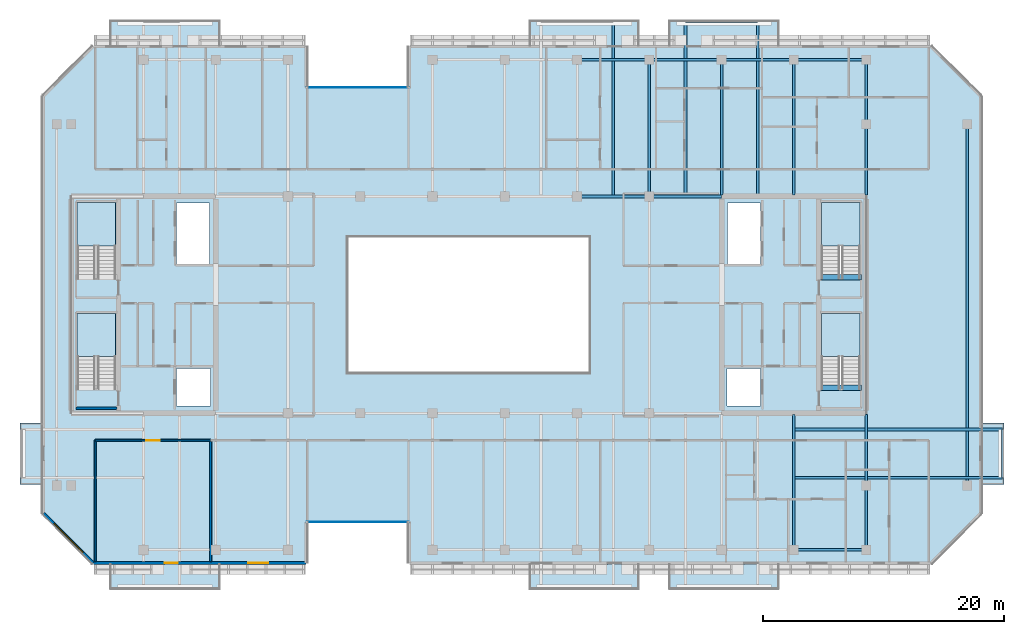
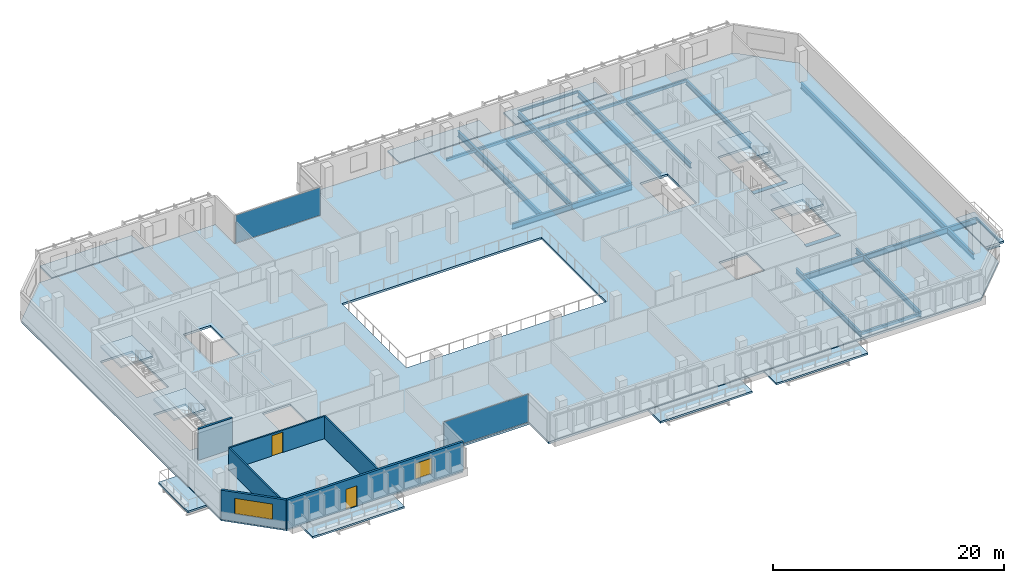
# One storey, part 9 of 22: 23 beams, 13 slabs, 6 walls, 2 doors, 2 plates, 2 windows, 4 openings, 6 elements without a shape of their own.
"""IFC4 building model written with IfcOpenShell, lengths in metres."""

from ifc_helpers import new_model, si_unit, direction, frame, frame_2d, origin, origin_2d, place, context, subcontext, project, spatial, polyline, rectangle, hollow_rectangle, i_section, outline, extrude, material, layer, layer_set, material_profile, profile_set, type_object, element, fill, aggregate, save


model = new_model("IFC4")

# Units and contexts
model_context = context("Model", 3, precision=1e-05, world=origin(), true_north=direction((0.0, 1.0)))
body_context = subcontext(model_context, "Body", "Model", "MODEL_VIEW")
ifc_project = project(units=[si_unit("LENGTHUNIT", "METRE"), si_unit("AREAUNIT", "SQUARE_METRE"), si_unit("VOLUMEUNIT", "CUBIC_METRE"), si_unit("PLANEANGLEUNIT", "RADIAN"), si_unit("MASSUNIT", "GRAM", prefix="KILO")], contexts=[model_context])

# Site, building, storey
site_placement = place(None, origin())
site = spatial("IfcSite", under=ifc_project, at=site_placement, CompositionType="ELEMENT")
building_placement = place(site_placement, origin())
building = spatial("IfcBuilding", under=site, at=building_placement, Name="Tanjung Sevakor Pilgrim Tower", CompositionType="ELEMENT")
storey_placement = place(building_placement, frame((0.0, 0.0, 195.030029296875)))
storey = spatial("IfcBuildingStorey", under=building, at=storey_placement, Name="L54", CompositionType="ELEMENT", Elevation=195.030029296875)

# Beams
ifc_material_1 = material(Name="Steel S355J2", Category="steel")
ifc_material_profile_1 = material_profile(ifc_material_1, i_section(OverallWidth=0.22900390625, OverallDepth=0.6123046875, WebThickness=0.011962890625, FlangeThickness=0.01953125, FilletRadius=0.0126953125, at=origin_2d()))
ifc_profile_set_1 = profile_set([ifc_material_profile_1], Name="Steel S355J2")
beam_type_1 = type_object("IfcBeamType", Name="BM-B-G4-UB_610x229x125", PredefinedType="BEAM", material=ifc_profile_set_1)
beam_1_placement = place(storey_placement, frame((98.39990234375, 18.60009765625, -0.526123046875), z_axis=(0.0, 1.0, 0.0), x_axis=(-1.0, 0.0, 0.0)))
element("IfcBeam", 1, at=beam_1_placement, inside=storey, type_object=beam_type_1, Name="L54 Short-End Edge Girder E", PredefinedType="BEAM", context=body_context, shape_type="SweptSolid", body=[
    extrude(i_section(OverallWidth=0.22900390625, OverallDepth=0.6123046875, WebThickness=0.011962890625, FlangeThickness=0.01953125, FilletRadius=0.0126953125, at=origin_2d()), origin(), (0.0, 0.0, 1.0), 30.0),
])
for number, where, z_axis, x_axis, name in (
    (2, (84.0, 19.25, -0.526123046875), (1.0, 0.0, 0.0), (0.0, 1.0, 0.0), "L54 Balcony Overhanging Beam MAIN-E1-1"),
    (3, (84.0, 23.25, -0.526123046875), (1.0, 0.0, 0.0), (0.0, 1.0, 0.0), "L54 Balcony Overhanging Beam MAIN-E1-2"),
):
    element("IfcBeam", number, at=place(storey_placement, frame(where, z_axis=z_axis, x_axis=x_axis)), inside=storey, type_object=beam_type_1, Name=name, PredefinedType="BEAM", context=body_context, shape_type="SweptSolid", body=[
        extrude(i_section(OverallWidth=0.22900390625, OverallDepth=0.6123046875, WebThickness=0.011962890625, FlangeThickness=0.01953125, FilletRadius=0.0126953125, at=origin_2d()), origin(), (0.0, 0.0, 1.0), 17.330078125),
    ])
for number, where, z_axis, x_axis, name in (
    (4, (66.0, 42.60009765625, -0.526123046875), (1.0, 0.0, 0.0), (0.0, 1.0, 0.0), "L54 Primary Floor Girder MAIN Y426-07"),
    (5, (72.0, 42.60009765625, -0.526123046875), (1.0, 0.0, 0.0), (0.0, 1.0, 0.0), "L54 Primary Floor Girder MAIN Y426-08"),
):
    element("IfcBeam", number, at=place(storey_placement, frame(where, z_axis=z_axis, x_axis=x_axis)), inside=storey, type_object=beam_type_1, Name=name, PredefinedType="BEAM", context=body_context, shape_type="SweptSolid", body=[
        extrude(i_section(OverallWidth=0.22900390625, OverallDepth=0.6123046875, WebThickness=0.011962890625, FlangeThickness=0.01953125, FilletRadius=0.0126953125, at=origin_2d()), origin(), (0.0, 0.0, 1.0), 6.0),
    ])
for number, where, z_axis, x_axis, name in (
    (6, (69.0, 42.714599609375, -0.526123046875), (0.0, 1.0, 0.0), (-1.0, 0.0, 0.0), "L54 Balcony Cantilever Beam MAIN-N2-2"),
    (7, (75.0, 42.714599609375, -0.526123046875), (0.0, 1.0, 0.0), (-1.0, 0.0, 0.0), "L54 Balcony Cantilever Beam MAIN-N3-1"),
    (8, (81.0, 42.714599609375, -0.526123046875), (0.0, 1.0, 0.0), (-1.0, 0.0, 0.0), "L54 Balcony Cantilever Beam MAIN-N3-2"),
):
    element("IfcBeam", number, at=place(storey_placement, frame(where, z_axis=z_axis, x_axis=x_axis)), inside=storey, type_object=beam_type_1, Name=name, PredefinedType="BEAM", context=body_context, shape_type="SweptSolid", body=[
        extrude(i_section(OverallWidth=0.22900390625, OverallDepth=0.6123046875, WebThickness=0.011962890625, FlangeThickness=0.01953125, FilletRadius=0.0126953125, at=origin_2d()), origin(), (0.0, 0.0, 1.0), 14.415283203125),
    ])
ifc_material_2 = material(Name="Steel S355J2", Category="steel")
ifc_material_profile_2 = material_profile(ifc_material_2, i_section(OverallWidth=0.2119140625, OverallDepth=0.54443359375, WebThickness=0.0126953125, FlangeThickness=0.021240234375, FilletRadius=0.0126953125, at=origin_2d()))
ifc_profile_set_2 = profile_set([ifc_material_profile_2], Name="Steel S355J2")
beam_type_2 = type_object("IfcBeamType", Name="BM-B-G5-UB_533x210x122", PredefinedType="BEAM", material=ifc_profile_set_2)
beam_2_placement = place(storey_placement, frame((72.0, 42.60009765625, -0.492431640625), z_axis=(0.0, 1.0, 0.0), x_axis=(-1.0, 0.0, 0.0)))
element("IfcBeam", 9, at=beam_2_placement, inside=storey, type_object=beam_type_2, Name="L54 MAIN Girder 014", PredefinedType="BEAM", context=body_context, shape_type="SweptSolid", body=[
    extrude(i_section(OverallWidth=0.2119140625, OverallDepth=0.54443359375, WebThickness=0.0126953125, FlangeThickness=0.021240234375, FilletRadius=0.0126953125, at=origin_2d()), origin(), (0.0, 0.0, 1.0), 11.349853515625),
])
beam_3_placement = place(storey_placement, frame((78.0, 42.714599609375, -0.492431640625), z_axis=(0.0, 1.0, 0.0), x_axis=(-1.0, 0.0, 0.0)))
element("IfcBeam", 10, at=beam_3_placement, inside=storey, type_object=beam_type_2, Name="L54 MAIN Girder 016", PredefinedType="BEAM", context=body_context, shape_type="SweptSolid", body=[
    extrude(i_section(OverallWidth=0.2119140625, OverallDepth=0.54443359375, WebThickness=0.0126953125, FlangeThickness=0.021240234375, FilletRadius=0.0126953125, at=origin_2d()), origin(), (0.0, 0.0, 1.0), 11.2353515625),
])
beam_4_placement = place(storey_placement, frame((84.0, 13.25, -0.492431640625), z_axis=(0.0, 1.0, 0.0), x_axis=(-1.0, 0.0, 0.0)))
element("IfcBeam", 11, at=beam_4_placement, inside=storey, type_object=beam_type_2, Name="L54 MAIN Girder 017", PredefinedType="BEAM", context=body_context, shape_type="SweptSolid", body=[
    extrude(i_section(OverallWidth=0.2119140625, OverallDepth=0.54443359375, WebThickness=0.0126953125, FlangeThickness=0.021240234375, FilletRadius=0.0126953125, at=origin_2d()), origin(), (0.0, 0.0, 1.0), 11.235595703125),
])
beam_5_placement = place(storey_placement, frame((84.0, 42.714599609375, -0.492431640625), z_axis=(0.0, 1.0, 0.0), x_axis=(-1.0, 0.0, 0.0)))
element("IfcBeam", 12, at=beam_5_placement, inside=storey, type_object=beam_type_2, Name="L54 MAIN Girder 018", PredefinedType="BEAM", context=body_context, shape_type="SweptSolid", body=[
    extrude(i_section(OverallWidth=0.2119140625, OverallDepth=0.54443359375, WebThickness=0.0126953125, FlangeThickness=0.021240234375, FilletRadius=0.0126953125, at=origin_2d()), origin(), (0.0, 0.0, 1.0), 11.2353515625),
])
beam_6_placement = place(storey_placement, frame((90.0, 13.25, -0.492431640625), z_axis=(0.0, 1.0, 0.0), x_axis=(-1.0, 0.0, 0.0)))
element("IfcBeam", 13, at=beam_6_placement, inside=storey, type_object=beam_type_2, Name="L54 MAIN Girder 019", PredefinedType="BEAM", context=body_context, shape_type="SweptSolid", body=[
    extrude(i_section(OverallWidth=0.2119140625, OverallDepth=0.54443359375, WebThickness=0.0126953125, FlangeThickness=0.021240234375, FilletRadius=0.0126953125, at=origin_2d()), origin(), (0.0, 0.0, 1.0), 11.235595703125),
])
beam_7_placement = place(storey_placement, frame((90.0, 42.714599609375, -0.492431640625), z_axis=(0.0, 1.0, 0.0), x_axis=(-1.0, 0.0, 0.0)))
element("IfcBeam", 14, at=beam_7_placement, inside=storey, type_object=beam_type_2, Name="L54 MAIN Girder 020", PredefinedType="BEAM", context=body_context, shape_type="SweptSolid", body=[
    extrude(i_section(OverallWidth=0.2119140625, OverallDepth=0.54443359375, WebThickness=0.0126953125, FlangeThickness=0.021240234375, FilletRadius=0.0126953125, at=origin_2d()), origin(), (0.0, 0.0, 1.0), 11.2353515625),
])
ifc_material_3 = material(Name="Steel S355J2", Category="steel")
ifc_material_profile_3 = material_profile(ifc_material_3, i_section(OverallWidth=0.146484375, OverallDepth=0.256103515625, WebThickness=0.00634765625, FlangeThickness=0.010986328125, FilletRadius=0.007568359375, at=origin_2d()))
ifc_profile_set_3 = profile_set([ifc_material_profile_3], Name="Steel S355J2")
beam_type_3 = type_object("IfcBeamType", Name="BM-B-J6-UB_254x146x37", PredefinedType="JOIST", material=ifc_profile_set_3)
beam_8_placement = place(storey_placement, frame((75.0, 57.1298828125, -0.328125), z_axis=(1.0, 0.0, 0.0), x_axis=(0.0, 1.0, 0.0)))
element("IfcBeam", 15, at=beam_8_placement, inside=storey, type_object=beam_type_3, Name="L54 Balcony Rim Tie MAIN-N3", PredefinedType="JOIST", context=body_context, shape_type="SweptSolid", body=[
    extrude(i_section(OverallWidth=0.146484375, OverallDepth=0.256103515625, WebThickness=0.00634765625, FlangeThickness=0.010986328125, FilletRadius=0.007568359375, at=origin_2d()), origin(), (0.0, 0.0, 1.0), 6.0),
])
beam_9_placement = place(storey_placement, frame((101.330078125, 19.25, -0.328125), z_axis=(0.0, 1.0, 0.0), x_axis=(-1.0, 0.0, 0.0)))
element("IfcBeam", 16, at=beam_9_placement, inside=storey, type_object=beam_type_3, Name="L54 Balcony Rim Tie MAIN-E1", PredefinedType="JOIST", context=body_context, shape_type="SweptSolid", body=[
    extrude(i_section(OverallWidth=0.146484375, OverallDepth=0.256103515625, WebThickness=0.00634765625, FlangeThickness=0.010986328125, FilletRadius=0.007568359375, at=origin_2d()), origin(), (0.0, 0.0, 1.0), 4.0),
])
ifc_material_4 = material(Name="Concrete C60/75", Category="concrete")
ifc_material_profile_4 = material_profile(ifc_material_4, rectangle(XDim=0.449951171875, YDim=0.699951171875, at=origin_2d()))
ifc_profile_set_4 = profile_set([ifc_material_profile_4], Name="Concrete C60/75")
beam_type_4 = type_object("IfcBeamType", Name="BM-B-LN3-RC-BM_450x700", PredefinedType="LINTEL", material=ifc_profile_set_4)
for number, where, z_axis, x_axis, name in (
    (17, (86.199951171875, 26.699951171875, -0.35009765625), (1.0, 0.0, 0.0), (0.0, 1.0, 0.0), "L54 TS-E1 Stair Threshold Beam"),
    (18, (86.199951171875, 35.89990234375, -0.35009765625), (1.0, 0.0, 0.0), (0.0, 1.0, 0.0), "L54 TS-E2 Stair Threshold Beam"),
):
    element("IfcBeam", number, at=place(storey_placement, frame(where, z_axis=z_axis, x_axis=x_axis)), inside=storey, type_object=beam_type_4, Name=name, PredefinedType="LINTEL", context=body_context, shape_type="SweptSolid", body=[
        extrude(rectangle(XDim=0.449951171875, YDim=0.699951171875, at=origin_2d()), origin(), (0.0, 0.0, 1.0), 3.400146484375),
    ])
ifc_material_5 = material(Name="Steel S355J2", Category="steel")
ifc_material_profile_5 = material_profile(ifc_material_5, hollow_rectangle(XDim=0.199951171875, YDim=0.300048828125, WallThickness=0.012451171875, at=origin_2d()))
ifc_profile_set_5 = profile_set([ifc_material_profile_5], Name="Steel S355J2")
beam_type_5 = type_object("IfcBeamType", Name="BM-B-SP3-RHS_300x200x12.5", PredefinedType="SPANDREL", material=ifc_profile_set_5)
for number, where, z_axis, x_axis, name in (
    (19, (66.0, 53.949951171875, -0.3701171875), (1.0, 0.0, 0.0), (0.0, 1.0, 0.0), "L54 Spandrel MAIN N-10"),
    (20, (72.0, 53.949951171875, -0.3701171875), (1.0, 0.0, 0.0), (0.0, 1.0, 0.0), "L54 Spandrel MAIN N-12"),
    (21, (78.0, 53.949951171875, -0.3701171875), (1.0, 0.0, 0.0), (0.0, 1.0, 0.0), "L54 Spandrel MAIN N-14"),
    (22, (84.0, 13.25, -0.3701171875), (1.0, 0.0, 0.0), (0.0, 1.0, 0.0), "L54 Spandrel MAIN S-15"),
    (23, (84.0, 53.949951171875, -0.3701171875), (1.0, 0.0, 0.0), (0.0, 1.0, 0.0), "L54 Spandrel MAIN N-16"),
):
    element("IfcBeam", number, at=place(storey_placement, frame(where, z_axis=z_axis, x_axis=x_axis)), inside=storey, type_object=beam_type_5, Name=name, PredefinedType="SPANDREL", context=body_context, shape_type="SweptSolid", body=[
        extrude(hollow_rectangle(XDim=0.199951171875, YDim=0.300048828125, WallThickness=0.012451171875, at=origin_2d()), origin(), (0.0, 0.0, 1.0), 6.0),
    ])

# Slabs
ifc_material_6 = material(Name="Concrete C40/50", Category="concrete")
ifc_layer_1 = layer(ifc_material_6, 0.199951171875)
ifc_layer_set_1 = layer_set([ifc_layer_1], Name="SL-BAL-200")
slab_type_1 = type_object("IfcSlabType", Name="SL-BAL-200", PredefinedType="FLOOR", material=ifc_layer_set_1)
slab_1_placement = place(storey_placement, frame((0.0, 0.0, -0.199951171875)))
element("IfcSlab", 24, at=slab_1_placement, inside=storey, type_object=slab_type_1, Name="L54 Planted Loggia Balcony MAIN-S1", PredefinedType="FLOOR", context=body_context, shape_type="SweptSolid", body=[
    extrude(outline(polyline([(27.199951171875, 9.949951171875), (36.39990234375, 9.949951171875), (36.39990234375, 12.050048828125), (27.199951171875, 12.050048828125), (27.199951171875, 9.949951171875)])), origin(), (0.0, 0.0, 1.0), 0.199951171875),
])
slab_2_placement = place(storey_placement, frame((0.0, 0.0, -0.199951171875)))
element("IfcSlab", 25, at=slab_2_placement, inside=storey, type_object=slab_type_1, Name="L54 Planted Loggia Balcony MAIN-N1", PredefinedType="FLOOR", context=body_context, shape_type="SweptSolid", body=[
    extrude(outline(polyline([(27.199951171875, 55.14990234375), (36.39990234375, 55.14990234375), (36.39990234375, 57.25), (27.199951171875, 57.25), (27.199951171875, 55.14990234375)])), origin(), (0.0, 0.0, 1.0), 0.199951171875),
])
slab_3_placement = place(storey_placement, frame((0.0, 0.0, -0.199951171875)))
element("IfcSlab", 26, at=slab_3_placement, inside=storey, type_object=slab_type_1, Name="L54 Planted Loggia Balcony MAIN-S2", PredefinedType="FLOOR", context=body_context, shape_type="SweptSolid", body=[
    extrude(outline(polyline([(62.0, 9.949951171875), (71.199951171875, 9.949951171875), (71.199951171875, 12.050048828125), (62.0, 12.050048828125), (62.0, 9.949951171875)])), origin(), (0.0, 0.0, 1.0), 0.199951171875),
])
slab_4_placement = place(storey_placement, frame((0.0, 0.0, -0.199951171875)))
element("IfcSlab", 27, at=slab_4_placement, inside=storey, type_object=slab_type_1, Name="L54 Planted Loggia Balcony MAIN-N2", PredefinedType="FLOOR", context=body_context, shape_type="SweptSolid", body=[
    extrude(outline(polyline([(62.0, 55.14990234375), (71.199951171875, 55.14990234375), (71.199951171875, 57.25), (62.0, 57.25), (62.0, 55.14990234375)])), origin(), (0.0, 0.0, 1.0), 0.199951171875),
])
slab_5_placement = place(storey_placement, frame((0.0, 0.0, -0.199951171875)))
element("IfcSlab", 28, at=slab_5_placement, inside=storey, type_object=slab_type_1, Name="L54 Planted Loggia Balcony MAIN-S3", PredefinedType="FLOOR", context=body_context, shape_type="SweptSolid", body=[
    extrude(outline(polyline([(73.60009765625, 9.949951171875), (82.800048828125, 9.949951171875), (82.800048828125, 12.050048828125), (73.60009765625, 12.050048828125), (73.60009765625, 9.949951171875)])), origin(), (0.0, 0.0, 1.0), 0.199951171875),
])
slab_6_placement = place(storey_placement, frame((0.0, 0.0, -0.199951171875)))
element("IfcSlab", 29, at=slab_6_placement, inside=storey, type_object=slab_type_1, Name="L54 Planted Loggia Balcony MAIN-N3", PredefinedType="FLOOR", context=body_context, shape_type="SweptSolid", body=[
    extrude(outline(polyline([(73.60009765625, 55.14990234375), (82.800048828125, 55.14990234375), (82.800048828125, 57.25), (73.60009765625, 57.25), (73.60009765625, 55.14990234375)])), origin(), (0.0, 0.0, 1.0), 0.199951171875),
])
slab_7_placement = place(storey_placement, frame((0.0, 0.0, -0.199951171875)))
element("IfcSlab", 30, at=slab_7_placement, inside=storey, type_object=slab_type_1, Name="L54 Planted Loggia Balcony MAIN-W1", PredefinedType="FLOOR", context=body_context, shape_type="SweptSolid", body=[
    extrude(outline(polyline([(19.75, 18.699951171875), (21.60009765625, 18.699951171875), (21.60009765625, 23.800048828125), (19.75, 23.800048828125), (19.75, 18.699951171875)])), origin(), (0.0, 0.0, 1.0), 0.199951171875),
])
slab_8_placement = place(storey_placement, frame((0.0, 0.0, -0.199951171875)))
element("IfcSlab", 31, at=slab_8_placement, inside=storey, type_object=slab_type_1, Name="L54 Planted Loggia Balcony MAIN-E1", PredefinedType="FLOOR", context=body_context, shape_type="SweptSolid", body=[
    extrude(outline(polyline([(99.60009765625, 18.699951171875), (101.449951171875, 18.699951171875), (101.449951171875, 23.800048828125), (99.60009765625, 23.800048828125), (99.60009765625, 18.699951171875)])), origin(), (0.0, 0.0, 1.0), 0.199951171875),
])

# Stair, slab
ifc_material_7 = material(Name="Concrete C40/50", Category="concrete")
stair_type = type_object("IfcStairType", Name="STAIR-ST-CR150", PredefinedType="HALF_TURN_STAIR", material=ifc_material_7)
stair_1_placement = place(storey_placement, origin())
stair_1 = element("IfcStair", 32, at=stair_1_placement, inside=storey, type_object=stair_type, Name="L54 West Core Exit Stair 1", PredefinedType="HALF_TURN_STAIR")
ifc_material_8 = material(Name="Concrete C40/50", Category="concrete")
ifc_layer_2 = layer(ifc_material_8, 0.199951171875)
ifc_layer_set_2 = layer_set([ifc_layer_2], Name="SL-LAND-200")
slab_type_2 = type_object("IfcSlabType", Name="SL-LAND-200", PredefinedType="LANDING", material=ifc_layer_set_2)
slab_9_placement = place(storey_placement, frame((0.0, 0.0, 1.449951171875)))
slab_9 = element("IfcSlab", 33, at=slab_9_placement, type_object=slab_type_2, Name="TS-W1 landing 1", PredefinedType="LANDING", context=body_context, shape_type="SweptSolid", body=[
    extrude(outline(polyline([(27.699951171875, 29.300048828125), (27.699951171875, 32.89990234375), (24.5, 32.89990234375), (24.5, 29.300048828125), (27.699951171875, 29.300048828125)])), origin(), (0.0, 0.0, 1.0), 0.199951171875),
])
aggregate(stair_1, [slab_9])

stair_2_placement = place(storey_placement, origin())
stair_2 = element("IfcStair", 34, at=stair_2_placement, inside=storey, type_object=stair_type, Name="L54 West Core Exit Stair 2", PredefinedType="HALF_TURN_STAIR")
slab_10_placement = place(storey_placement, frame((0.0, 0.0, 1.449951171875)))
slab_10 = element("IfcSlab", 35, at=slab_10_placement, type_object=slab_type_2, Name="TS-W2 landing 1", PredefinedType="LANDING", context=body_context, shape_type="SweptSolid", body=[
    extrude(outline(polyline([(27.699951171875, 38.5), (27.699951171875, 42.10009765625), (24.5, 42.10009765625), (24.5, 38.5), (27.699951171875, 38.5)])), origin(), (0.0, 0.0, 1.0), 0.199951171875),
])
aggregate(stair_2, [slab_10])

stair_3_placement = place(storey_placement, origin())
stair_3 = element("IfcStair", 36, at=stair_3_placement, inside=storey, type_object=stair_type, Name="L54 East Core Exit Stair 1", PredefinedType="HALF_TURN_STAIR")
slab_11_placement = place(storey_placement, frame((0.0, 0.0, 1.449951171875)))
slab_11 = element("IfcSlab", 37, at=slab_11_placement, type_object=slab_type_2, Name="TS-E1 landing 1", PredefinedType="LANDING", context=body_context, shape_type="SweptSolid", body=[
    extrude(outline(polyline([(89.5, 29.300048828125), (89.5, 32.89990234375), (86.300048828125, 32.89990234375), (86.300048828125, 29.300048828125), (89.5, 29.300048828125)])), origin(), (0.0, 0.0, 1.0), 0.199951171875),
])
aggregate(stair_3, [slab_11])

stair_4_placement = place(storey_placement, origin())
stair_4 = element("IfcStair", 38, at=stair_4_placement, inside=storey, type_object=stair_type, Name="L54 East Core Exit Stair 2", PredefinedType="HALF_TURN_STAIR")
slab_12_placement = place(storey_placement, frame((0.0, 0.0, 1.449951171875)))
slab_12 = element("IfcSlab", 39, at=slab_12_placement, type_object=slab_type_2, Name="TS-E2 landing 1", PredefinedType="LANDING", context=body_context, shape_type="SweptSolid", body=[
    extrude(outline(polyline([(89.5, 38.5), (89.5, 42.10009765625), (86.300048828125, 42.10009765625), (86.300048828125, 38.5), (89.5, 38.5)])), origin(), (0.0, 0.0, 1.0), 0.199951171875),
])
aggregate(stair_4, [slab_12])

# Slab
ifc_material_9 = material(Name="Concrete C40/50", Category="concrete")
ifc_layer_3 = layer(ifc_material_9, 0.219970703125)
ifc_layer_set_3 = layer_set([ifc_layer_3], Name="SL-TWR-220")
slab_type_3 = type_object("IfcSlabType", Name="SL-TWR-220", PredefinedType="FLOOR", material=ifc_layer_set_3)
slab_13_placement = place(storey_placement, frame((0.0, 0.0, -0.219970703125)))
element("IfcSlab", 40, at=slab_13_placement, inside=storey, type_object=slab_type_3, Name="L54 Floor Slab MAIN", PredefinedType="FLOOR", context=body_context, shape_type="SweptSolid", body=[
    extrude(outline(polyline([(25.846923828125, 12.1298828125), (43.52001953125, 12.1298828125), (43.52001953125, 15.530029296875), (52.080078125, 15.530029296875), (52.080078125, 12.1298828125), (95.35302734375, 12.1298828125), (99.52001953125, 16.296875), (99.52001953125, 50.903076171875), (95.35302734375, 55.070068359375), (52.080078125, 55.070068359375), (52.080078125, 51.669921875), (43.52001953125, 51.669921875), (43.52001953125, 55.070068359375), (25.846923828125, 55.070068359375), (21.679931640625, 50.903076171875), (21.679931640625, 16.296875), (25.846923828125, 12.1298828125)]), holes=[polyline([(27.699951171875, 26.60009765625), (27.699951171875, 32.89990234375), (24.5, 32.89990234375), (24.5, 26.60009765625), (27.699951171875, 26.60009765625)]), polyline([(27.699951171875, 35.800048828125), (27.699951171875, 42.10009765625), (24.5, 42.10009765625), (24.5, 35.800048828125), (27.699951171875, 35.800048828125)]), polyline([(89.5, 26.60009765625), (89.5, 32.89990234375), (86.300048828125, 32.89990234375), (86.300048828125, 26.60009765625), (89.5, 26.60009765625)]), polyline([(89.5, 35.800048828125), (89.5, 42.10009765625), (86.300048828125, 42.10009765625), (86.300048828125, 35.800048828125), (89.5, 35.800048828125)]), polyline([(32.75, 25.199951171875), (35.550048828125, 25.199951171875), (35.550048828125, 28.300048828125), (32.75, 28.300048828125), (32.75, 25.199951171875)]), polyline([(32.75, 37.0), (35.5, 37.0), (35.5, 42.050048828125), (32.75, 42.050048828125), (32.75, 37.0)]), polyline([(78.449951171875, 25.199951171875), (81.25, 25.199951171875), (81.25, 28.300048828125), (78.449951171875, 28.300048828125), (78.449951171875, 25.199951171875)]), polyline([(78.5, 37.0), (81.25, 37.0), (81.25, 42.050048828125), (78.5, 42.050048828125), (78.5, 37.0)]), polyline([(47.0, 28.0), (67.0, 28.0), (67.0, 39.199951171875), (47.0, 39.199951171875), (47.0, 28.0)])]), origin(), (0.0, 0.0, 1.0), 0.219970703125),
])

# Curtain wall, plate
ifc_material_10 = material(Name="Aluminium 6063-T6 and Low-E Glass", Category="aluminium")
ifc_layer_4 = layer(ifc_material_10, 0.179931640625)
ifc_layer_set_4 = layer_set([ifc_layer_4], Name="CW-SYS-CLEFT")
curtain_wall_type = type_object("IfcCurtainWallType", Name="CW-SYS-CLEFT", PredefinedType="NOTDEFINED", material=ifc_layer_set_4)
curtain_wall_1_placement = place(storey_placement, origin())
curtain_wall_1 = element("IfcCurtainWall", 41, at=curtain_wall_1_placement, inside=storey, type_object=curtain_wall_type, Name="L54 Curtain Wall CW-CLF-L54-2", PredefinedType="NOTDEFINED")
ifc_material_11 = material(Name="Laminated Low-E Double Glazing", Category="glass")
ifc_layer_5 = layer(ifc_material_11, 0.028076171875)
ifc_layer_set_5 = layer_set([ifc_layer_5], Name="TYPE-CWP-GLZ1")
plate_type = type_object("IfcPlateType", Name="TYPE-CWP-GLZ1", PredefinedType="CURTAIN_PANEL", material=ifc_layer_set_5)
plate_1_placement = place(storey_placement, frame((47.800048828125, 15.56005859375, 0.06494140625), z_axis=(0.0, 0.0, 1.0), x_axis=(1.0, 0.0, 0.0)))
plate_1 = element("IfcPlate", 42, at=plate_1_placement, type_object=plate_type, Name="CW-CLF panel 1.1", PredefinedType="CURTAIN_PANEL", context=body_context, shape_type="SweptSolid", body=[
    extrude(rectangle(XDim=8.469970703125, YDim=0.028076171875, at=origin_2d()), origin(), (0.0, 0.0, 1.0), 2.949951171875),
])
aggregate(curtain_wall_1, [plate_1])

curtain_wall_2_placement = place(storey_placement, origin())
curtain_wall_2 = element("IfcCurtainWall", 43, at=curtain_wall_2_placement, inside=storey, type_object=curtain_wall_type, Name="L54 Curtain Wall CW-CLF-L54-10", PredefinedType="NOTDEFINED")
plate_2_placement = place(storey_placement, frame((47.800048828125, 51.639892578125, 0.06494140625), z_axis=(0.0, 0.0, 1.0), x_axis=(-1.0, 0.0, 0.0)))
plate_2 = element("IfcPlate", 44, at=plate_2_placement, type_object=plate_type, Name="CW-CLF panel 1.1", PredefinedType="CURTAIN_PANEL", context=body_context, shape_type="SweptSolid", body=[
    extrude(rectangle(XDim=8.469970703125, YDim=0.028076171875, at=origin_2d()), origin(), (0.0, 0.0, 1.0), 2.949951171875),
])
aggregate(curtain_wall_2, [plate_2])

# Walls
ifc_material_12 = material(Name="Concrete C40/50", Category="concrete")
ifc_layer_6 = layer(ifc_material_12, 0.14990234375)
ifc_layer_set_6 = layer_set([ifc_layer_6], Name="WT-COMP-150")
wall_type_1 = type_object("IfcWallType", Name="WT-COMP-150", PredefinedType="SOLIDWALL", material=ifc_layer_set_6)
for number, where, z_axis, x_axis, name in (
    (45, (26.0, 12.27001953125, 0.0), (0.0, 0.0, 1.0), (0.0, 1.0, 0.0), "L54 Partition IW-L54-051"),
    (46, (35.575927734375, 12.27001953125, 0.0), (0.0, 0.0, 1.0), (0.0, 1.0, 0.0), "L54 Partition IW-L54-052"),
):
    element("IfcWall", number, at=place(storey_placement, frame(where, z_axis=z_axis, x_axis=x_axis)), inside=storey, type_object=wall_type_1, Name=name, PredefinedType="SOLIDWALL", context=body_context, shape_type="SweptSolid", body=[
        extrude(rectangle(XDim=10.080078125, YDim=0.14990234375, at=frame_2d((5.0400390625, 0.0))), origin(), (0.0, 0.0, 1.0), 2.35009765625),
    ])

# Wall, opening, door
wall_1_placement = place(storey_placement, frame((26.0, 22.35009765625, 0.0), z_axis=(0.0, 0.0, 1.0), x_axis=(1.0, 0.0, 0.0)))
wall_1 = element("IfcWall", 47, at=wall_1_placement, inside=storey, type_object=wall_type_1, Name="L54 Partition IW-L54-053", PredefinedType="SOLIDWALL", context=body_context, shape_type="SweptSolid", body=[
    extrude(rectangle(XDim=9.575927734375, YDim=0.14990234375, at=frame_2d((4.7880859375, 0.0))), origin(), (0.0, 0.0, 1.0), 2.35009765625),
])
opening_1_placement = place(wall_1_placement, frame((4.238037109375, 0.0, 0.0)))
opening_1 = element("IfcOpeningElement", 48, at=opening_1_placement, cuts=wall_1, Name="Opening ID-FD0", PredefinedType="OPENING", context=body_context, shape_type="SweptSolid", body=[
    extrude(rectangle(XDim=1.10009765625, YDim=2.14990234375, at=frame_2d((0.550048828125, 1.074951171875))), frame((0.0, 0.0849609375, 0.0), z_axis=(0.0, -1.0, 0.0), x_axis=(1.0, 0.0, 0.0)), (0.0, 0.0, 1.0), 0.169921875),
])
ifc_material_13 = material(Name="Fire-Rated Steel S355J2", Category="steel")
door_type_1 = type_object("IfcDoorType", Name="DT-FIRE-1100", OperationType="NOTDEFINED", PredefinedType="DOOR", material=ifc_material_13)
door_1_placement = place(opening_1_placement, origin())
door_1 = element("IfcDoor", 49, at=door_1_placement, inside=storey, type_object=door_type_1, Name="Communal Lounge Door", OperationType="SINGLE_SWING_RIGHT", OverallHeight=2.14990234375, OverallWidth=1.10009765625, PredefinedType="DOOR", context=body_context, shape_type="SweptSolid", body=[
    extrude(rectangle(XDim=1.10009765625, YDim=2.14990234375, at=frame_2d((0.550048828125, 1.074951171875))), frame((0.0, 0.02490234375, 0.0), z_axis=(0.0, -1.0, 0.0), x_axis=(1.0, 0.0, 0.0)), (0.0, 0.0, 1.0), 0.050048828125),
])
fill(opening_1, door_1)

# Wall, openings, door, window
ifc_material_14 = material(Name="Precast concrete C45/55", Category="concrete")
ifc_layer_7 = layer(ifc_material_14, 0.219970703125)
ifc_layer_set_7 = layer_set([ifc_layer_7], Name="WT-EW-STN4")
wall_type_2 = type_object("IfcWallType", Name="WT-EW-STN4", PredefinedType="SOLIDWALL", material=ifc_layer_set_7)
wall_2_placement = place(storey_placement, frame((25.845703125, 12.159912109375, 0.0), z_axis=(0.0, 0.0, 1.0), x_axis=(1.0, 0.0, 0.0)))
wall_2 = element("IfcWall", 50, at=wall_2_placement, inside=storey, type_object=wall_type_2, Name="L54 MAIN Exterior Wall 1", PredefinedType="SOLIDWALL", context=body_context, shape_type="SweptSolid", body=[
    extrude(rectangle(XDim=17.644287109375, YDim=0.219970703125, at=frame_2d((8.822265625, 0.0))), origin(), (0.0, 0.0, 1.0), 3.080078125),
])
opening_2_placement = place(wall_2_placement, frame((5.904296875, 0.0, 0.0)))
opening_2 = element("IfcOpeningElement", 51, at=opening_2_placement, cuts=wall_2, Name="Opening ED-BAL-1100", PredefinedType="OPENING", context=body_context, shape_type="SweptSolid", body=[
    extrude(rectangle(XDim=1.10009765625, YDim=2.14990234375, at=frame_2d((0.550048828125, 1.074951171875))), frame((0.0, 0.119873046875, 0.0), z_axis=(0.0, -1.0, 0.0), x_axis=(1.0, 0.0, 0.0)), (0.0, 0.0, 1.0), 0.239990234375),
])
opening_3_placement = place(wall_2_placement, frame((12.857421875, 0.0, 0.780029296875)))
opening_3 = element("IfcOpeningElement", 52, at=opening_3_placement, cuts=wall_2, Name="Opening WN-Z4-1660", PredefinedType="OPENING", context=body_context, shape_type="SweptSolid", body=[
    extrude(rectangle(XDim=1.64990234375, YDim=1.659912109375, at=frame_2d((0.824951171875, 0.830078125))), frame((0.0, 0.119873046875, 0.0), z_axis=(0.0, -1.0, 0.0), x_axis=(1.0, 0.0, 0.0)), (0.0, 0.0, 1.0), 0.239990234375),
])
ifc_material_15 = material(Name="Anodised Aluminium and Laminated Glass", Category="aluminium")
door_type_2 = type_object("IfcDoorType", Name="DTYP-ED-BAL-1100", OperationType="NOTDEFINED", PredefinedType="DOOR", material=ifc_material_15)
door_2_placement = place(opening_2_placement, frame((1.10009765625, 0.0, 0.0), z_axis=(0.0, 0.0, 1.0), x_axis=(-1.0, 0.0, 0.0)))
door_2 = element("IfcDoor", 53, at=door_2_placement, inside=storey, type_object=door_type_2, Name="L54 Balcony Door MAIN-S1", OperationType="SINGLE_SWING_LEFT", OverallHeight=2.14990234375, OverallWidth=1.10009765625, PredefinedType="DOOR", context=body_context, shape_type="SweptSolid", body=[
    extrude(rectangle(XDim=1.10009765625, YDim=2.14990234375, at=frame_2d((0.550048828125, 1.074951171875))), frame((0.0, 0.02490234375, 0.0), z_axis=(0.0, -1.0, 0.0), x_axis=(1.0, 0.0, 0.0)), (0.0, 0.0, 1.0), 0.050048828125),
])
fill(opening_2, door_2)
ifc_material_16 = material(Name="Thermally Broken Aluminium and Low-E Glass", Category="aluminium")
window_type_1 = type_object("IfcWindowType", Name="WTYP-WN-Z4-1660", PartitioningType="DOUBLE_PANEL_VERTICAL", PredefinedType="WINDOW", material=ifc_material_16)
window_1_placement = place(opening_3_placement, origin())
window_1 = element("IfcWindow", 54, at=window_1_placement, inside=storey, type_object=window_type_1, Name="L54 Facade Window 01", OverallHeight=1.659912109375, OverallWidth=1.64990234375, PartitioningType="SINGLE_PANEL", PredefinedType="WINDOW", context=body_context, shape_type="SweptSolid", body=[
    extrude(rectangle(XDim=1.64990234375, YDim=1.659912109375, at=frame_2d((0.824951171875, 0.830078125))), frame((0.0, 0.030029296875, 0.0), z_axis=(0.0, -1.0, 0.0), x_axis=(1.0, 0.0, 0.0)), (0.0, 0.0, 1.0), 0.06005859375),
])
fill(opening_3, window_1)

# Wall, opening, window
wall_3_placement = place(storey_placement, frame((21.7099609375, 16.295654296875, 0.0), z_axis=(0.0, 0.0, 1.0), x_axis=(0.707106781187, -0.707106781187, 0.0)))
wall_3 = element("IfcWall", 55, at=wall_3_placement, inside=storey, type_object=wall_type_2, Name="L54 MAIN Sculpted Corner Wall 15", PredefinedType="SOLIDWALL", context=body_context, shape_type="SweptSolid", body=[
    extrude(rectangle(XDim=5.848876953125, YDim=0.219970703125, at=frame_2d((2.92431640625, 0.0))), origin(), (0.0, 0.0, 1.0), 3.080078125),
])
opening_4_placement = place(wall_3_placement, frame((1.224365234375, 0.0, 0.780029296875)))
opening_4 = element("IfcOpeningElement", 56, at=opening_4_placement, cuts=wall_3, Name="Opening WN-CHM-1660", PredefinedType="OPENING", context=body_context, shape_type="SweptSolid", body=[
    extrude(rectangle(XDim=3.39990234375, YDim=1.659912109375, at=frame_2d((1.699951171875, 0.830078125))), frame((0.0, 0.119873046875, 0.0), z_axis=(0.0, -1.0, 0.0), x_axis=(1.0, 0.0, 0.0)), (0.0, 0.0, 1.0), 0.239990234375),
])
ifc_material_17 = material(Name="Thermally Broken Aluminium and Low-E Glass", Category="aluminium")
window_type_2 = type_object("IfcWindowType", Name="WTYP-WN-CHM-1660", PartitioningType="DOUBLE_PANEL_VERTICAL", PredefinedType="WINDOW", material=ifc_material_17)
window_2_placement = place(opening_4_placement, origin())
window_2 = element("IfcWindow", 57, at=window_2_placement, inside=storey, type_object=window_type_2, Name="L54 Facade Window 01", OverallHeight=1.659912109375, OverallWidth=3.39990234375, PartitioningType="SINGLE_PANEL", PredefinedType="WINDOW", context=body_context, shape_type="SweptSolid", body=[
    extrude(rectangle(XDim=3.39990234375, YDim=1.659912109375, at=frame_2d((1.699951171875, 0.830078125))), frame((0.0, 0.030029296875, 0.0), z_axis=(0.0, -1.0, 0.0), x_axis=(1.0, 0.0, 0.0)), (0.0, 0.0, 1.0), 0.06005859375),
])
fill(opening_4, window_2)

# Wall
ifc_material_18 = material(Name="Concrete C40/50", Category="concrete")
ifc_layer_8 = layer(ifc_material_18, 0.199951171875)
ifc_layer_set_8 = layer_set([ifc_layer_8], Name="WT-FIRE-200")
wall_type_3 = type_object("IfcWallType", Name="WT-FIRE-200", PredefinedType="SOLIDWALL", material=ifc_layer_set_8)
wall_4_placement = place(storey_placement, frame((24.39990234375, 25.0, 0.0), z_axis=(0.0, 0.0, 1.0), x_axis=(1.0, 0.0, 0.0)))
element("IfcWall", 58, at=wall_4_placement, inside=storey, type_object=wall_type_3, Name="L54 TS-W1 Shaft Wall 1", PredefinedType="SOLIDWALL", context=body_context, shape_type="SweptSolid", body=[
    extrude(rectangle(XDim=3.400146484375, YDim=0.199951171875, at=frame_2d((1.7001953125, 0.0))), origin(), (0.0, 0.0, 1.0), 3.300048828125),
])

save(model, "model.ifc")
